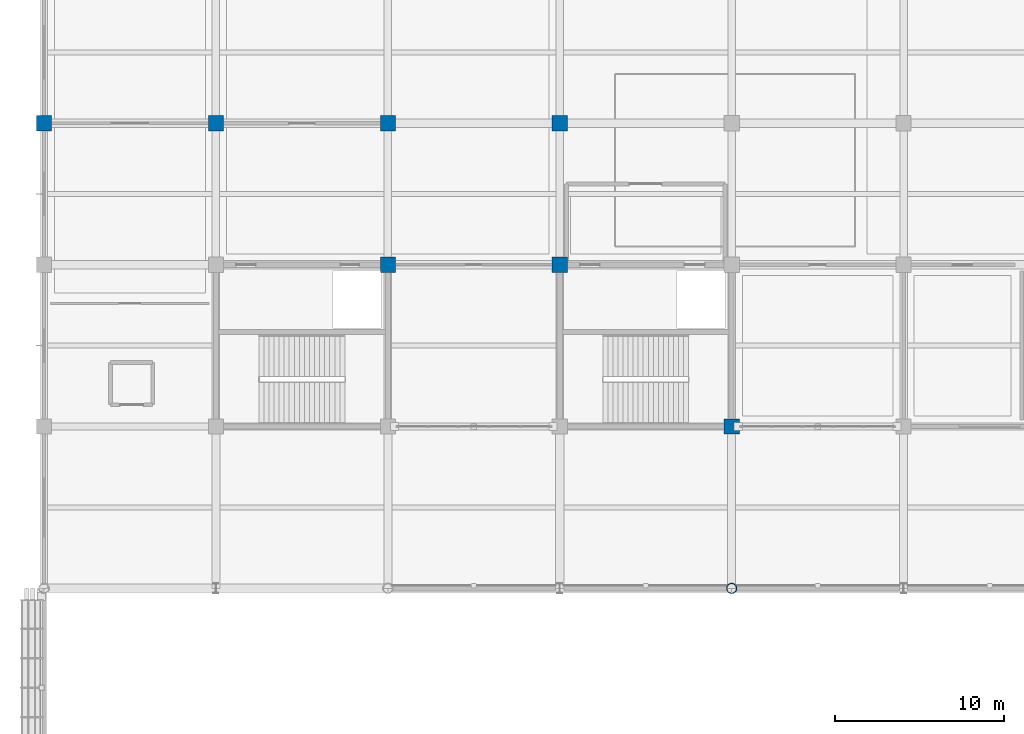
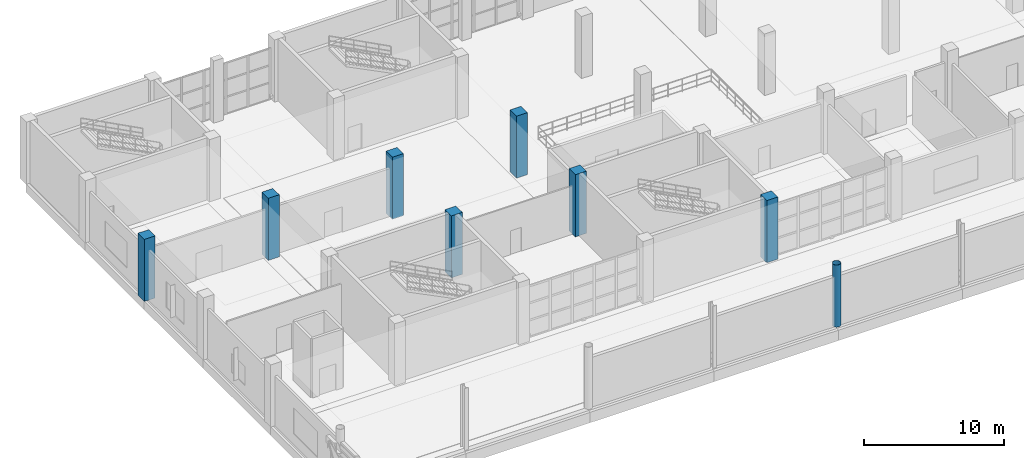
# One storey, part 6 of 175: 8 columns.
"""IFC4 building model written with IfcOpenShell, lengths in metres."""

from ifc_helpers import new_model, si_unit, direction, frame, origin, origin_2d, place, context, subcontext, project, spatial, rectangle, hollow_circle, extrude, material, material_profile, profile_set, type_object, element, save


model = new_model("IFC4")

# Units and contexts
model_context = context("Model", 3, precision=1e-05, world=origin(), true_north=direction((0.0, 1.0)))
body_context = subcontext(model_context, "Body", "Model", "MODEL_VIEW")
ifc_project = project(units=[si_unit("LENGTHUNIT", "METRE"), si_unit("AREAUNIT", "SQUARE_METRE"), si_unit("VOLUMEUNIT", "CUBIC_METRE"), si_unit("PLANEANGLEUNIT", "RADIAN"), si_unit("MASSUNIT", "GRAM", prefix="KILO")], contexts=[model_context])

# Site, building, storey
site_placement = place(None, origin())
site = spatial("IfcSite", under=ifc_project, at=site_placement, CompositionType="ELEMENT")
building_placement = place(site_placement, origin())
building = spatial("IfcBuilding", under=site, at=building_placement, Name="Brelvane Convention Centre", CompositionType="ELEMENT")
storey_placement = place(building_placement, frame((0.0, 0.0, 5.39990234375)))
storey = spatial("IfcBuildingStorey", under=building, at=storey_placement, Name="L01", CompositionType="ELEMENT", Elevation=5.39990234375)

# Columns
ifc_material_1 = material(Name="Concrete M50", Category="concrete")
ifc_material_profile_1 = material_profile(ifc_material_1, rectangle(XDim=0.89990234375, YDim=0.89990234375, at=origin_2d()), Name="RC 900x900")
ifc_profile_set_1 = profile_set([ifc_material_profile_1], Name="Concrete M50")
column_type_1 = type_object("IfcColumnType", Name="RC Column C-RC2 (RC 900x900)", PredefinedType="COLUMN", material=ifc_profile_set_1)
for number, where, z_axis, x_axis, name in (
    (1, (0.0, 127.199951171875, 0.0), (0.0, 0.0, 1.0), (1.0, 0.0, 0.0), "Column 1-N (L01)"),
    (2, (10.199951171875, 127.199951171875, 0.0), (0.0, 0.0, 1.0), (1.0, 0.0, 0.0), "Column 2-N (L01)"),
    (3, (20.39990234375, 118.800048828125, 0.0), (0.0, 0.0, 1.0), (1.0, 0.0, 0.0), "Column 3-M (L01)"),
    (4, (20.39990234375, 127.199951171875, 0.0), (0.0, 0.0, 1.0), (1.0, 0.0, 0.0), "Column 3-N (L01)"),
    (5, (30.60009765625, 118.800048828125, 0.0), (0.0, 0.0, 1.0), (1.0, 0.0, 0.0), "Column 4-M (L01)"),
    (6, (30.60009765625, 127.199951171875, 0.0), (0.0, 0.0, 1.0), (1.0, 0.0, 0.0), "Column 4-N (L01)"),
    (7, (40.800048828125, 109.199951171875, 0.0), (0.0, 0.0, 1.0), (1.0, 0.0, 0.0), "Column 5-L (L01)"),
):
    element("IfcColumn", number, at=place(storey_placement, frame(where, z_axis=z_axis, x_axis=x_axis)), inside=storey, type_object=column_type_1, Name=name, PredefinedType="COLUMN", context=body_context, shape_type="SweptSolid", body=[
        extrude(rectangle(XDim=0.89990234375, YDim=0.89990234375, at=origin_2d()), origin(), (0.0, 0.0, 1.0), 5.400146484375),
    ])
ifc_material_2 = material(Name="Steel E450 (450 MPa)", Category="steel")
ifc_material_profile_2 = material_profile(ifc_material_2, hollow_circle(Radius=0.304931640625, WallThickness=0.02490234375, at=origin_2d()), Name="CHS 610.0x25.0")
ifc_profile_set_2 = profile_set([ifc_material_profile_2], Name="Steel E450 (450 MPa)")
column_type_2 = type_object("IfcColumnType", Name="Steel Column C-ST1 (CHS 610.0x25.0)", PredefinedType="COLUMN", material=ifc_profile_set_2)
column_placement = place(storey_placement, frame((40.800048828125, 99.60009765625, 0.0), z_axis=(0.0, 0.0, 1.0), x_axis=(1.0, 0.0, 0.0)))
element("IfcColumn", 8, at=column_placement, inside=storey, type_object=column_type_2, Name="Column 5-K (L01)", PredefinedType="COLUMN", context=body_context, shape_type="SweptSolid", body=[
    extrude(hollow_circle(Radius=0.304931640625, WallThickness=0.02490234375, at=origin_2d()), origin(), (0.0, 0.0, 1.0), 5.400146484375),
])

save(model, "model.ifc")
